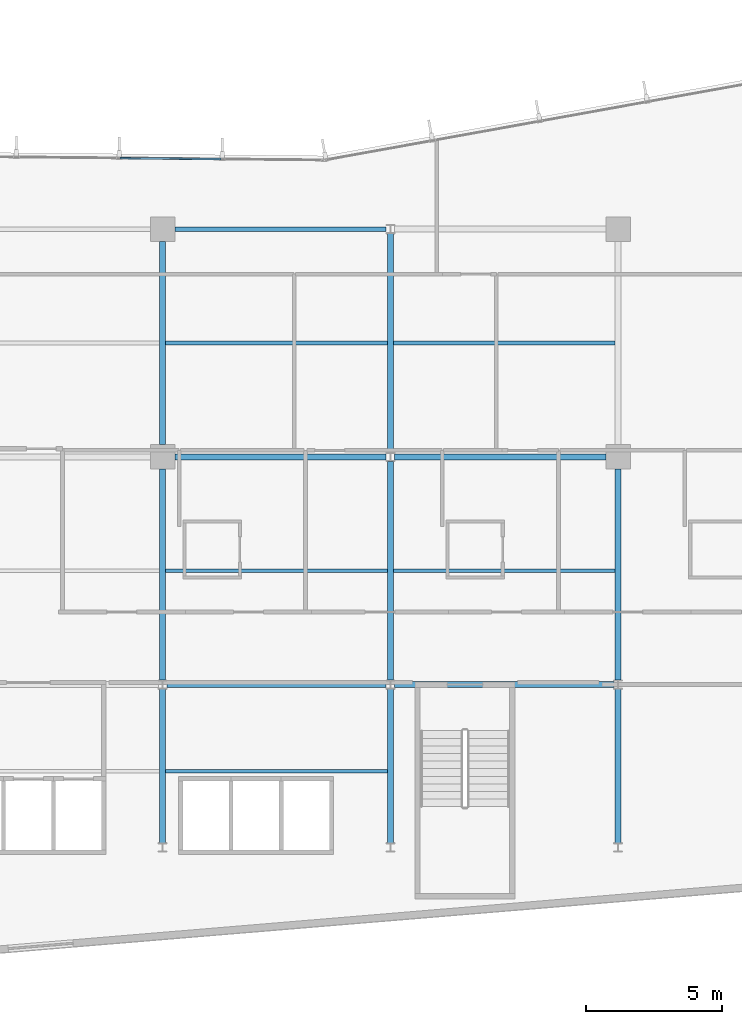
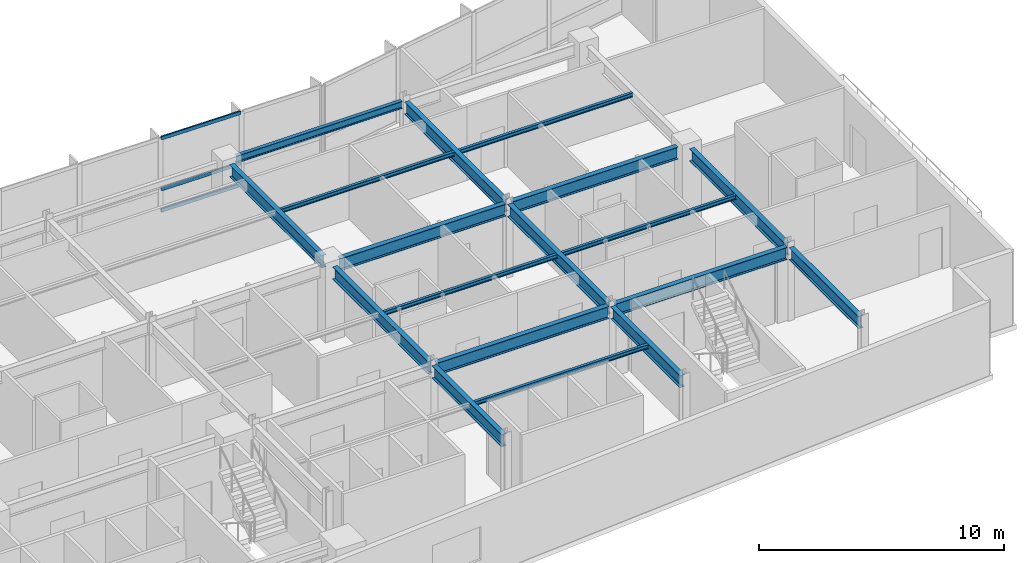
# One storey, part 5 of 19: 18 beams, 3 members, 1 element without a shape of its own.
"""IFC4 building model written with IfcOpenShell, lengths in metres."""

import ifcopenshell
import ifcopenshell.guid

model = None  # the IFC model being written
_history = None  # IfcOwnerHistory: only IFC2X3 demands one
_inside = {}  # id of a spatial element -> (the spatial element, [elements in it])
_under = {}  # id of a project, library or spatial element -> (it, [spatial elements below it])
_declared = {}  # id of a project -> (the project, [libraries it declares])
_typed = {}  # id of a type object -> (the type object, [elements of that type])
_made_of = {}  # id of a material, layer set ... -> (it, [elements and type objects made of it])


def new_model(schema):
    """Start an empty IFC model of exactly this schema.

    Asked for "IFC4X3", IfcOpenShell would pick the latest addendum, in which some entities
    have other attributes; the version numbers below select the first issue.
    IFC2X3 requires an IfcOwnerHistory on every rooted entity: one is made here for all.
    """
    global model, _history
    if schema == "IFC4X3":
        model = ifcopenshell.file(schema_version=(4, 3, 0, 0))
    else:
        model = ifcopenshell.file(schema=schema)
    _inside.clear()
    _under.clear()
    _declared.clear()
    _typed.clear()
    _made_of.clear()
    _history = None
    if model.schema == "IFC2X3":
        org = make("IfcOrganization", Name="unknown")
        user = make(
            "IfcPersonAndOrganization",
            ThePerson=make("IfcPerson", FamilyName="unknown"),
            TheOrganization=org,
        )
        app = make(
            "IfcApplication",
            ApplicationDeveloper=org,
            Version="unknown",
            ApplicationFullName="unknown",
            ApplicationIdentifier="unknown",
        )
        _history = make(
            "IfcOwnerHistory",
            OwningUser=user,
            OwningApplication=app,
            ChangeAction="ADDED",
            CreationDate=0,
        )
    return model


def make(cls, **values):
    """One entity of the class cls with the attributes given. An attribute that is None is left unset."""
    return model.create_entity(
        cls, **{name: value for name, value in values.items() if value is not None}
    )


def rooted(cls, **values):
    """An entity with a GlobalId (a new one), such as an element, a storey or a relation."""
    return make(cls, GlobalId=ifcopenshell.guid.new(), OwnerHistory=_history, **values)


def si_unit(unit_type, name, prefix=None):
    """IfcSIUnit, for example si_unit("LENGTHUNIT", "METRE", prefix="MILLI")."""
    return make("IfcSIUnit", UnitType=unit_type, Prefix=prefix, Name=name)


def assignment(units):
    """IfcUnitAssignment: the units of a project."""
    return None if units is None else make("IfcUnitAssignment", Units=units)


def point(xyz):
    """IfcCartesianPoint."""
    return None if xyz is None else make("IfcCartesianPoint", Coordinates=xyz)


def direction(xyz):
    """IfcDirection."""
    return None if xyz is None else make("IfcDirection", DirectionRatios=xyz)


def frame(location, z_axis=None, x_axis=None):
    """IfcAxis2Placement3D, a coordinate frame: its origin and axes. An axis left out is left unset."""
    return make(
        "IfcAxis2Placement3D",
        Location=point(location),
        Axis=direction(z_axis),
        RefDirection=direction(x_axis),
    )


def frame_2d(location, x_axis=None):
    """IfcAxis2Placement2D, a coordinate frame in the plane: its origin and x axis."""
    return make(
        "IfcAxis2Placement2D", Location=point(location), RefDirection=direction(x_axis)
    )


def origin():
    """The frame at (0, 0, 0) with its axes left unset."""
    return frame((0.0, 0.0, 0.0))


def origin_2d():
    """The frame at (0, 0) in the plane with its x axis left unset."""
    return frame_2d((0.0, 0.0))


def place(relative_to, where):
    """IfcLocalPlacement: puts the frame where relative to a parent placement (None: the world)."""
    return make(
        "IfcLocalPlacement", PlacementRelTo=relative_to, RelativePlacement=where
    )


def context(
    kind, dimensions, precision=None, world=None, true_north=None, identifier=None
):
    """IfcGeometricRepresentationContext, for example the 3D "Model" context."""
    return make(
        "IfcGeometricRepresentationContext",
        ContextIdentifier=identifier,
        ContextType=kind,
        CoordinateSpaceDimension=dimensions,
        Precision=precision,
        WorldCoordinateSystem=world,
        TrueNorth=true_north,
    )


def subcontext(parent, identifier, kind, view, scale=None):
    """IfcGeometricRepresentationSubContext, for example "Body" below "Model"."""
    return make(
        "IfcGeometricRepresentationSubContext",
        ContextIdentifier=identifier,
        ContextType=kind,
        ParentContext=parent,
        TargetScale=scale,
        TargetView=view,
    )


def project(units=None, contexts=None):
    """IfcProject with its units and contexts."""
    return rooted(
        "IfcProject",
        Name="project",
        RepresentationContexts=contexts,
        UnitsInContext=assignment(units),
    )


def spatial(cls, under=None, at=None, **own):
    """A site, building, storey or space (cls), placed at a placement, below another one or the project."""
    s = rooted(cls, ObjectPlacement=at, **own)
    if under is not None:
        _under.setdefault(under.id(), (under, []))[1].append(s)
    return s


def profile(cls, at=None, kind="AREA", **sizes):
    """A parametric profile (cls). Its sizes go by their IFC names, for example OverallWidth=200.0."""
    return make(cls, ProfileType=kind, Position=at, **sizes)


def hollow_rectangle(**sizes):
    """IfcRectangleHollowProfileDef."""
    return profile("IfcRectangleHollowProfileDef", **sizes)


def i_section(**sizes):
    """IfcIShapeProfileDef."""
    return profile("IfcIShapeProfileDef", **sizes)


def extrude(swept, where, along, depth):
    """IfcExtrudedAreaSolid: the profile swept, set in the frame where, extruded along a direction by depth."""
    return make(
        "IfcExtrudedAreaSolid",
        SweptArea=swept,
        Position=where,
        ExtrudedDirection=direction(along),
        Depth=depth,
    )


def shape(context_of_items, identifier, shape_type, items):
    """IfcShapeRepresentation: the items that make up one representation, for example the "Body"."""
    return make(
        "IfcShapeRepresentation",
        ContextOfItems=context_of_items,
        RepresentationIdentifier=identifier,
        RepresentationType=shape_type,
        Items=items,
    )


def material(Name=None, Category=None):
    """IfcMaterial."""
    return make("IfcMaterial", Name=Name, Category=Category)


def layer(
    of_material, thickness, ventilated=None, Name=None, Category=None, Priority=None
):
    """IfcMaterialLayer: one layer of a wall or slab, of a material (None: an air gap)."""
    return make(
        "IfcMaterialLayer",
        Material=of_material,
        LayerThickness=thickness,
        IsVentilated=ventilated,
        Name=Name,
        Category=Category,
        Priority=Priority,
    )


def layer_set(layers, Name=None):
    """IfcMaterialLayerSet."""
    return make("IfcMaterialLayerSet", MaterialLayers=layers, LayerSetName=Name)


def material_profile(
    of_material, cross_section, Name=None, Category=None, Priority=None
):
    """IfcMaterialProfile: a cross section and its material."""
    return make(
        "IfcMaterialProfile",
        Name=Name,
        Material=of_material,
        Profile=cross_section,
        Priority=Priority,
        Category=Category,
    )


def profile_set(profiles, Name=None, composite=None):
    """IfcMaterialProfileSet."""
    return make(
        "IfcMaterialProfileSet",
        Name=Name,
        MaterialProfiles=profiles,
        CompositeProfile=composite,
    )


def made_of(thing, what):
    """Note that an element or type object is made of a material, layer set ...; save() writes the relation."""
    if what is not None:
        _made_of.setdefault(what.id(), (what, []))[1].append(thing)
    return thing


def type_object(cls, material=None, **own):
    """A type object (cls), such as IfcWallType, which elements share."""
    return made_of(rooted(cls, **own), material)


def element(
    cls,
    number,
    at=None,
    inside=None,
    cuts=None,
    type_object=None,
    material=None,
    context=None,
    identifier="Body",
    shape_type=None,
    held_by="IfcProductDefinitionShape",
    body=None,
    shapes=None,
    **own,
):
    """One element of the class cls, such as IfcWall. Its Tag is "e" and its number.

    at: its placement. inside: the storey or other place that contains it. cuts: it is an
    opening in that element (IfcRelVoidsElement). A single representation is given by context,
    identifier, shape_type and body (its items); several are given by shapes. held_by: the class
    of the entity that holds the representations. save() writes the other relations.
    """
    e = rooted(cls, Tag="e%d" % number, ObjectPlacement=at, **own)
    if body is not None:
        shapes = [shape(context, identifier, shape_type, body)]
    if shapes is not None:
        e.Representation = make(held_by, Representations=shapes)
    if inside is not None:
        _inside.setdefault(inside.id(), (inside, []))[1].append(e)
    if cuts is not None:
        rooted(
            "IfcRelVoidsElement", RelatingBuildingElement=cuts, RelatedOpeningElement=e
        )
    if type_object is not None:
        _typed.setdefault(type_object.id(), (type_object, []))[1].append(e)
    return made_of(e, material)


def aggregate(whole, parts):
    """IfcRelAggregates: a whole, such as a stair, and the parts it consists of."""
    return rooted("IfcRelAggregates", RelatingObject=whole, RelatedObjects=parts)


def save(model, path):
    """Write the relations noted so far, then the file.

    IfcRelAggregates (storeys below a building ...), IfcRelContainedInSpatialStructure (elements
    in a storey), IfcRelDefinesByType, IfcRelAssociatesMaterial and IfcRelDeclares: one each for
    every whole, place, type object, material and project.
    """
    for whole, parts in _under.values():
        aggregate(whole, parts)
    for where, things in _inside.values():
        rooted(
            "IfcRelContainedInSpatialStructure",
            RelatedElements=things,
            RelatingStructure=where,
        )
    for kind, things in _typed.values():
        rooted("IfcRelDefinesByType", RelatedObjects=things, RelatingType=kind)
    for what, things in _made_of.values():
        rooted("IfcRelAssociatesMaterial", RelatedObjects=things, RelatingMaterial=what)
    for by, libraries in _declared.values():
        rooted("IfcRelDeclares", RelatingContext=by, RelatedDefinitions=libraries)
    model.write(path)


model = new_model("IFC4")

# Units and contexts
model_context = context("Model", 3, precision=1e-05, world=origin(), true_north=direction((0.0, 1.0)))
body_context = subcontext(model_context, "Body", "Model", "MODEL_VIEW")
ifc_project = project(units=[si_unit("LENGTHUNIT", "METRE"), si_unit("AREAUNIT", "SQUARE_METRE"), si_unit("VOLUMEUNIT", "CUBIC_METRE"), si_unit("PLANEANGLEUNIT", "RADIAN"), si_unit("MASSUNIT", "GRAM", prefix="KILO")], contexts=[model_context])

# Site, building, storey
site_placement = place(None, origin())
site = spatial("IfcSite", under=ifc_project, at=site_placement, CompositionType="ELEMENT")
building_placement = place(site_placement, origin())
building = spatial("IfcBuilding", under=site, at=building_placement, Name="Varnakote Quay Hospital", CompositionType="ELEMENT")
storey_placement = place(building_placement, frame((0.0, 0.0, 93.60009765625)))
storey = spatial("IfcBuildingStorey", under=building, at=storey_placement, Name="L23", CompositionType="ELEMENT", Elevation=93.60009765625)

# Beams
ifc_material_1 = material(Name="Structural steel AS/NZS 3679.1 Grade 350 L0 (fy 340 MPa)", Category="steel")
ifc_material_profile_1 = material_profile(ifc_material_1, i_section(OverallWidth=0.22900390625, OverallDepth=0.612060546875, WebThickness=0.011962890625, FlangeThickness=0.01953125, FilletRadius=0.013916015625, at=origin_2d()), Name="610UB125")
ifc_profile_set_1 = profile_set([ifc_material_profile_1], Name="Structural steel AS/NZS 3679.1 Grade 350 L0 (fy 340 MPa)")
beam_type_1 = type_object("IfcBeamType", Name="BM-STL-610UB125", PredefinedType="BEAM", material=ifc_profile_set_1)
for number, where, z_axis, x_axis, name in (
    (1, (33.755615234375, 12.0, 3.364013671875), (1.0, 0.0, 0.0), (0.0, 1.0, 0.0), "L23 Primary Floor Beam"),
    (2, (42.155517578125, 12.0, 3.364013671875), (1.0, 0.0, 0.0), (0.0, 1.0, 0.0), "L23 Primary Floor Beam"),
):
    element("IfcBeam", number, at=place(storey_placement, frame(where, z_axis=z_axis, x_axis=x_axis)), inside=storey, type_object=beam_type_1, Name=name, PredefinedType="BEAM", context=body_context, shape_type="SweptSolid", body=[
        extrude(i_section(OverallWidth=0.22900390625, OverallDepth=0.612060546875, WebThickness=0.011962890625, FlangeThickness=0.01953125, FilletRadius=0.013916015625, at=origin_2d()), origin(), (0.0, 0.0, 1.0), 8.0888671875),
    ])
for number, where, z_axis, x_axis, name in (
    (3, (34.050048828125, 20.39990234375, 3.364013671875), (1.0, 0.0, 0.0), (0.0, 1.0, 0.0), "L23 Primary Floor Beam"),
    (4, (42.155517578125, 20.39990234375, 3.364013671875), (1.0, 0.0, 0.0), (0.0, 1.0, 0.0), "L23 Primary Floor Beam"),
):
    element("IfcBeam", number, at=place(storey_placement, frame(where, z_axis=z_axis, x_axis=x_axis)), inside=storey, type_object=beam_type_1, Name=name, PredefinedType="BEAM", context=body_context, shape_type="SweptSolid", body=[
        extrude(i_section(OverallWidth=0.22900390625, OverallDepth=0.612060546875, WebThickness=0.011962890625, FlangeThickness=0.01953125, FilletRadius=0.013916015625, at=origin_2d()), origin(), (0.0, 0.0, 1.0), 7.79443359375),
    ])
beam_1_placement = place(storey_placement, frame((33.60009765625, 6.16357421875, 3.364013671875), z_axis=(0.0, 1.0, 0.0), x_axis=(-1.0, 0.0, 0.0)))
element("IfcBeam", 5, at=beam_1_placement, inside=storey, type_object=beam_type_1, Name="L23 Primary Tie Beam", PredefinedType="BEAM", context=body_context, shape_type="SweptSolid", body=[
    extrude(i_section(OverallWidth=0.22900390625, OverallDepth=0.612060546875, WebThickness=0.011962890625, FlangeThickness=0.01953125, FilletRadius=0.013916015625, at=origin_2d()), origin(), (0.0, 0.0, 1.0), 5.6728515625),
])
beam_2_placement = place(storey_placement, frame((33.60009765625, 12.16357421875, 3.364013671875), z_axis=(0.0, 1.0, 0.0), x_axis=(-1.0, 0.0, 0.0)))
element("IfcBeam", 6, at=beam_2_placement, inside=storey, type_object=beam_type_1, Name="L23 Primary Tie Beam", PredefinedType="BEAM", context=body_context, shape_type="SweptSolid", body=[
    extrude(i_section(OverallWidth=0.22900390625, OverallDepth=0.612060546875, WebThickness=0.011962890625, FlangeThickness=0.01953125, FilletRadius=0.013916015625, at=origin_2d()), origin(), (0.0, 0.0, 1.0), 7.786376953125),
])
beam_3_placement = place(storey_placement, frame((33.60009765625, 20.85009765625, 3.364013671875), z_axis=(0.0, 1.0, 0.0), x_axis=(-1.0, 0.0, 0.0)))
element("IfcBeam", 7, at=beam_3_placement, inside=storey, type_object=beam_type_1, Name="L23 Primary Tie Beam", PredefinedType="BEAM", context=body_context, shape_type="SweptSolid", body=[
    extrude(i_section(OverallWidth=0.22900390625, OverallDepth=0.612060546875, WebThickness=0.011962890625, FlangeThickness=0.01953125, FilletRadius=0.013916015625, at=origin_2d()), origin(), (0.0, 0.0, 1.0), 7.5),
])
beam_4_placement = place(storey_placement, frame((42.0, 6.16357421875, 3.364013671875), z_axis=(0.0, 1.0, 0.0), x_axis=(-1.0, 0.0, 0.0)))
element("IfcBeam", 8, at=beam_4_placement, inside=storey, type_object=beam_type_1, Name="L23 Primary Tie Beam", PredefinedType="BEAM", context=body_context, shape_type="SweptSolid", body=[
    extrude(i_section(OverallWidth=0.22900390625, OverallDepth=0.612060546875, WebThickness=0.011962890625, FlangeThickness=0.01953125, FilletRadius=0.013916015625, at=origin_2d()), origin(), (0.0, 0.0, 1.0), 5.6728515625),
])
for number, where, z_axis, x_axis, name in (
    (9, (42.0, 12.16357421875, 3.364013671875), (0.0, 1.0, 0.0), (-1.0, 0.0, 0.0), "L23 Primary Tie Beam"),
    (10, (42.0, 20.5634765625, 3.364013671875), (0.0, 1.0, 0.0), (-1.0, 0.0, 0.0), "L23 Primary Tie Beam"),
):
    element("IfcBeam", number, at=place(storey_placement, frame(where, z_axis=z_axis, x_axis=x_axis)), inside=storey, type_object=beam_type_1, Name=name, PredefinedType="BEAM", context=body_context, shape_type="SweptSolid", body=[
        extrude(i_section(OverallWidth=0.22900390625, OverallDepth=0.612060546875, WebThickness=0.011962890625, FlangeThickness=0.01953125, FilletRadius=0.013916015625, at=origin_2d()), origin(), (0.0, 0.0, 1.0), 8.072998046875),
    ])
beam_5_placement = place(storey_placement, frame((50.39990234375, 6.16357421875, 3.364013671875), z_axis=(0.0, 1.0, 0.0), x_axis=(-1.0, 0.0, 0.0)))
element("IfcBeam", 11, at=beam_5_placement, inside=storey, type_object=beam_type_1, Name="L23 Primary Tie Beam", PredefinedType="BEAM", context=body_context, shape_type="SweptSolid", body=[
    extrude(i_section(OverallWidth=0.22900390625, OverallDepth=0.612060546875, WebThickness=0.011962890625, FlangeThickness=0.01953125, FilletRadius=0.013916015625, at=origin_2d()), origin(), (0.0, 0.0, 1.0), 5.6728515625),
])
beam_6_placement = place(storey_placement, frame((50.39990234375, 12.16357421875, 3.364013671875), z_axis=(0.0, 1.0, 0.0), x_axis=(-1.0, 0.0, 0.0)))
element("IfcBeam", 12, at=beam_6_placement, inside=storey, type_object=beam_type_1, Name="L23 Primary Tie Beam", PredefinedType="BEAM", context=body_context, shape_type="SweptSolid", body=[
    extrude(i_section(OverallWidth=0.22900390625, OverallDepth=0.612060546875, WebThickness=0.011962890625, FlangeThickness=0.01953125, FilletRadius=0.013916015625, at=origin_2d()), origin(), (0.0, 0.0, 1.0), 7.786376953125),
])

# Curtain wall, members
ifc_material_2 = material(Name="Anodised aluminium 6063-T6 Bronze", Category="aluminium")
ifc_layer = layer(ifc_material_2, 0.18994140625)
ifc_layer_set = layer_set([ifc_layer], Name="Anodised aluminium 6063-T6 Bronze")
curtain_wall_type = type_object("IfcCurtainWallType", Name="CW-SYS-2", PredefinedType="NOTDEFINED", material=ifc_layer_set)
curtain_wall_placement = place(storey_placement, origin())
curtain_wall = element("IfcCurtainWall", 13, at=curtain_wall_placement, inside=storey, type_object=curtain_wall_type, Name="L23 Unitised Bronze Curtain Wall 2", PredefinedType="NOTDEFINED")
ifc_material_3 = material(Name="Anodised aluminium 6063-T6 Bronze", Category="aluminium")
ifc_material_profile_2 = material_profile(ifc_material_3, hollow_rectangle(XDim=0.074951171875, YDim=0.179931640625, WallThickness=0.004150390625, InnerFilletRadius=0.004150390625, OuterFilletRadius=0.00830078125, at=origin_2d()), Name="CW-TRAN-180x75")
ifc_profile_set_2 = profile_set([ifc_material_profile_2], Name="Anodised aluminium 6063-T6 Bronze")
member_type = type_object("IfcMemberType", Name="CW-TRAN-180x75", PredefinedType="USERDEFINED", material=ifc_profile_set_2)
member_1_placement = place(storey_placement, frame((35.756591796875, 31.38134765625, 0.037353515625), z_axis=(-0.999952203239, 0.009777077123, 0.0), x_axis=(-0.009777077123, -0.999952203239, 0.0)))
member_1 = element("IfcMember", 14, at=member_1_placement, type_object=member_type, Name="-2-L23-2 transom 2.1", ObjectType="TRANSOM", PredefinedType="USERDEFINED", context=body_context, shape_type="SweptSolid", body=[
    extrude(hollow_rectangle(XDim=0.074951171875, YDim=0.179931640625, WallThickness=0.004150390625, InnerFilletRadius=0.004150390625, OuterFilletRadius=0.00830078125, at=origin_2d()), origin(), (0.0, 0.0, 1.0), 3.720703125),
])
member_2_placement = place(storey_placement, frame((35.756591796875, 31.38134765625, 1.099853515625), z_axis=(-0.999952203239, 0.009777077123, 0.0), x_axis=(-0.009777077123, -0.999952203239, 0.0)))
member_2 = element("IfcMember", 15, at=member_2_placement, type_object=member_type, Name="-2-L23-2 transom 2.2", ObjectType="TRANSOM", PredefinedType="USERDEFINED", context=body_context, shape_type="SweptSolid", body=[
    extrude(hollow_rectangle(XDim=0.074951171875, YDim=0.179931640625, WallThickness=0.004150390625, InnerFilletRadius=0.004150390625, OuterFilletRadius=0.00830078125, at=origin_2d()), origin(), (0.0, 0.0, 1.0), 3.720703125),
])
member_3_placement = place(storey_placement, frame((35.756591796875, 31.38134765625, 3.63232421875), z_axis=(-0.999952203239, 0.009777077123, 0.0), x_axis=(-0.009777077123, -0.999952203239, 0.0)))
member_3 = element("IfcMember", 16, at=member_3_placement, type_object=member_type, Name="-2-L23-2 transom 2.3", ObjectType="TRANSOM", PredefinedType="USERDEFINED", context=body_context, shape_type="SweptSolid", body=[
    extrude(hollow_rectangle(XDim=0.074951171875, YDim=0.179931640625, WallThickness=0.004150390625, InnerFilletRadius=0.004150390625, OuterFilletRadius=0.00830078125, at=origin_2d()), origin(), (0.0, 0.0, 1.0), 3.720703125),
])
aggregate(curtain_wall, [member_1, member_2, member_3])

# Beams
ifc_material_4 = material(Name="Structural steel AS/NZS 3679.1 Grade 350 L0 (fy 340 MPa)", Category="steel")
ifc_material_profile_3 = material_profile(ifc_material_4, i_section(OverallWidth=0.134033203125, OverallDepth=0.20703125, WebThickness=0.00634765625, FlangeThickness=0.009521484375, FilletRadius=0.0087890625, at=origin_2d()), Name="200UB29.8")
ifc_profile_set_3 = profile_set([ifc_material_profile_3], Name="Structural steel AS/NZS 3679.1 Grade 350 L0 (fy 340 MPa)")
beam_type_2 = type_object("IfcBeamType", Name="JST-STL-200UB29-8", PredefinedType="JOIST", material=ifc_profile_set_3)
for number, where, z_axis, x_axis, name in (
    (17, (33.714599609375, 8.800048828125, 3.56640625), (1.0, 0.0, 0.0), (0.0, 1.0, 0.0), "L23 Composite Floor Joist"),
    (18, (33.714599609375, 16.199951171875, 3.56640625), (1.0, 0.0, 0.0), (0.0, 1.0, 0.0), "L23 Composite Floor Joist"),
    (19, (42.114501953125, 16.199951171875, 3.56640625), (1.0, 0.0, 0.0), (0.0, 1.0, 0.0), "L23 Composite Floor Joist"),
    (20, (33.714599609375, 24.60009765625, 3.56640625), (1.0, 0.0, 0.0), (0.0, 1.0, 0.0), "L23 Composite Floor Joist"),
    (21, (42.114501953125, 24.60009765625, 3.56640625), (1.0, 0.0, 0.0), (0.0, 1.0, 0.0), "L23 Composite Floor Joist"),
):
    element("IfcBeam", number, at=place(storey_placement, frame(where, z_axis=z_axis, x_axis=x_axis)), inside=storey, type_object=beam_type_2, Name=name, PredefinedType="JOIST", context=body_context, shape_type="SweptSolid", body=[
        extrude(i_section(OverallWidth=0.134033203125, OverallDepth=0.20703125, WebThickness=0.00634765625, FlangeThickness=0.009521484375, FilletRadius=0.0087890625, at=origin_2d()), origin(), (0.0, 0.0, 1.0), 8.1708984375),
    ])
ifc_material_5 = material(Name="Structural steel AS/NZS 3679.1 Grade 350 L0 (fy 340 MPa)", Category="steel")
ifc_material_profile_4 = material_profile(ifc_material_5, i_section(OverallWidth=0.172119140625, OverallDepth=0.35888671875, WebThickness=0.008056640625, FlangeThickness=0.012939453125, FilletRadius=0.011474609375, at=origin_2d()), Name="360UB56.7")
ifc_profile_set_4 = profile_set([ifc_material_profile_4], Name="Structural steel AS/NZS 3679.1 Grade 350 L0 (fy 340 MPa)")
beam_type_3 = type_object("IfcBeamType", Name="SPN-STL-360UB56-7", PredefinedType="SPANDREL", material=ifc_profile_set_4)
beam_7_placement = place(storey_placement, frame((34.050048828125, 28.800048828125, 3.490478515625), z_axis=(1.0, 0.0, 0.0), x_axis=(0.0, 1.0, 0.0)))
element("IfcBeam", 22, at=beam_7_placement, inside=storey, type_object=beam_type_3, Name="L23 Perimeter Spandrel Beam", PredefinedType="SPANDREL", context=body_context, shape_type="SweptSolid", body=[
    extrude(i_section(OverallWidth=0.172119140625, OverallDepth=0.35888671875, WebThickness=0.008056640625, FlangeThickness=0.012939453125, FilletRadius=0.011474609375, at=origin_2d()), origin(), (0.0, 0.0, 1.0), 7.79443359375),
])

save(model, "model.ifc")
